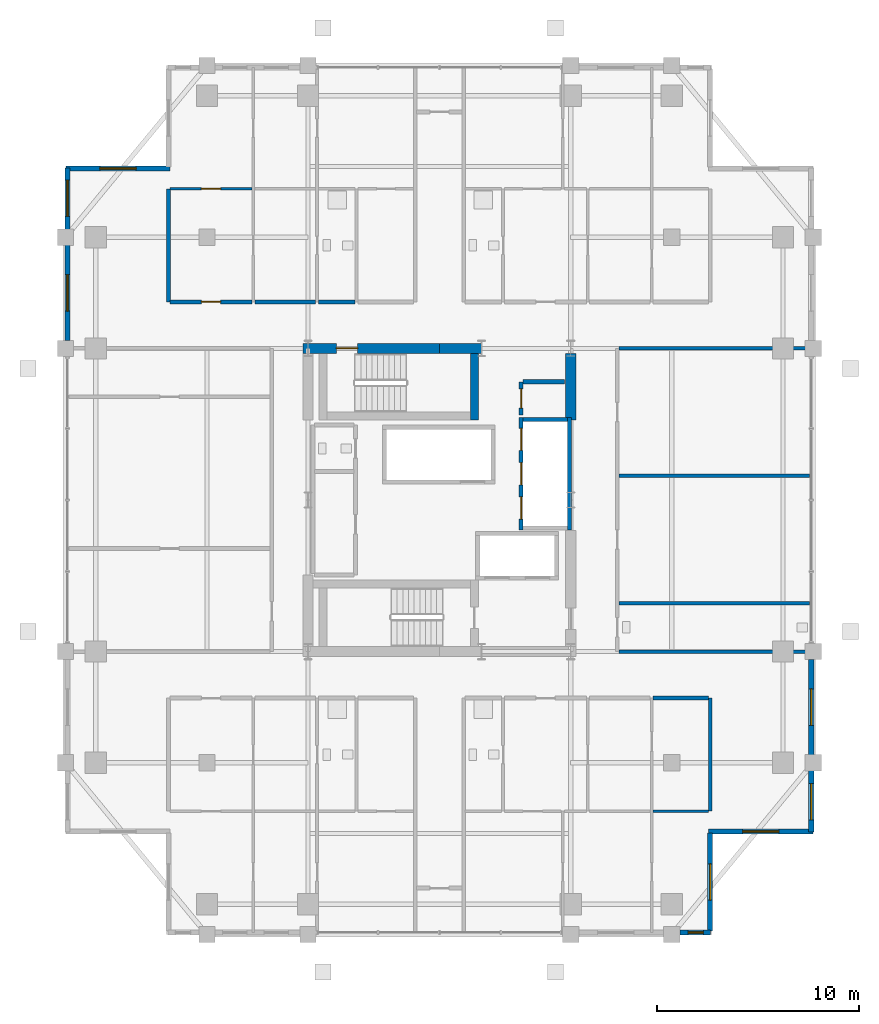
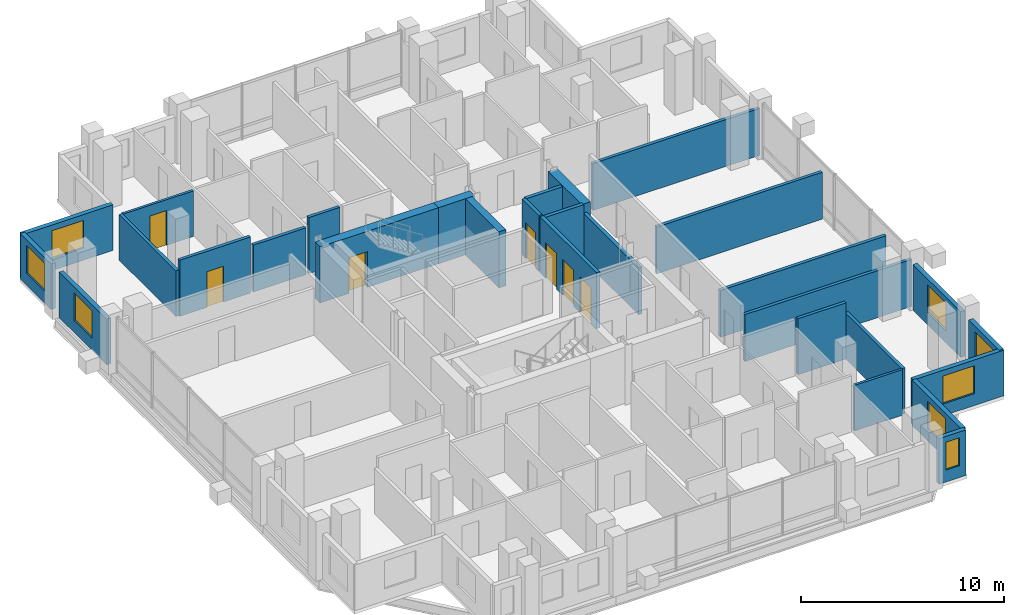
# One storey, part 20 of 24: 29 walls, 8 windows, 7 doors, 15 openings.
"""IFC4 building model written with IfcOpenShell, lengths in metres."""

from ifc_helpers import new_model, si_unit, direction, frame, frame_2d, origin, place, context, subcontext, project, spatial, rectangle, extrude, material, layer, layer_set, type_object, element, fill, save


model = new_model("IFC4")

# Units and contexts
model_context = context("Model", 3, precision=1e-05, world=origin(), true_north=direction((0.0, 1.0)))
body_context = subcontext(model_context, "Body", "Model", "MODEL_VIEW")
ifc_project = project(units=[si_unit("LENGTHUNIT", "METRE"), si_unit("AREAUNIT", "SQUARE_METRE"), si_unit("VOLUMEUNIT", "CUBIC_METRE"), si_unit("PLANEANGLEUNIT", "RADIAN"), si_unit("MASSUNIT", "GRAM", prefix="KILO")], contexts=[model_context])

# Site, building, storey
site_placement = place(None, origin())
site = spatial("IfcSite", under=ifc_project, at=site_placement, CompositionType="ELEMENT")
building_placement = place(site_placement, origin())
building = spatial("IfcBuilding", under=site, at=building_placement, Name="Barlavira Tower and Art Museum", CompositionType="ELEMENT")
storey_placement = place(building_placement, frame((0.0, 0.0, 201.60009765625)))
storey = spatial("IfcBuildingStorey", under=building, at=storey_placement, Name="L52", CompositionType="ELEMENT", Elevation=201.60009765625)

# Wall, opening, door
ifc_material_1 = material(Name="Concrete C60", Category="concrete")
ifc_layer_1 = layer(ifc_material_1, 0.5, Name="Concrete C60")
ifc_layer_set_1 = layer_set([ifc_layer_1], Name="Concrete C60")
wall_type_1 = type_object("IfcWallType", Name="Core Structural Shear Wall 500 Concrete C60", PredefinedType="SHEAR", material=ifc_layer_set_1)
wall_1_placement = place(storey_placement, frame((-6.75, 7.5, 0.0), z_axis=(0.0, 0.0, 1.0), x_axis=(1.0, 0.0, 0.0)))
wall_1 = element("IfcWall", 1, at=wall_1_placement, inside=storey, type_object=wall_type_1, Name="L52 Core Shear Wall CS-NW", PredefinedType="SHEAR", context=body_context, shape_type="SweptSolid", body=[
    extrude(rectangle(XDim=6.75, YDim=0.5, at=frame_2d((3.375, 0.0))), origin(), (0.0, 0.0, 1.0), 3.3798828125),
])
opening_1_placement = place(wall_1_placement, frame((1.64990234375, 0.0, 0.0)))
opening_1 = element("IfcOpeningElement", 2, at=opening_1_placement, cuts=wall_1, Name="Opening FD-90", PredefinedType="OPENING", context=body_context, shape_type="SweptSolid", body=[
    extrude(rectangle(XDim=1.050048828125, YDim=2.14990234375, at=frame_2d((0.52490234375, 1.074951171875))), frame((0.0, 0.260009765625, 0.0), z_axis=(0.0, -1.0, 0.0), x_axis=(1.0, 0.0, 0.0)), (0.0, 0.0, 1.0), 0.52001953125),
])
ifc_material_2 = material(Name="Brushed stainless steel", Category="steel")
door_type_1 = type_object("IfcDoorType", Name="Stair and Refuge Fire Door 1050x2150 FD90S", OperationType="NOTDEFINED", PredefinedType="DOOR", material=ifc_material_2)
door_1_placement = place(opening_1_placement, origin())
door_1 = element("IfcDoor", 3, at=door_1_placement, inside=storey, type_object=door_type_1, Name="L52 Stair ST-T2 Fire Door", OperationType="SINGLE_SWING_LEFT", OverallHeight=2.14990234375, OverallWidth=1.050048828125, PredefinedType="DOOR", context=body_context, shape_type="SweptSolid", body=[
    extrude(rectangle(XDim=1.050048828125, YDim=2.14990234375, at=frame_2d((0.52490234375, 1.074951171875))), frame((0.0, 0.02490234375, 0.0), z_axis=(0.0, -1.0, 0.0), x_axis=(1.0, 0.0, 0.0)), (0.0, 0.0, 1.0), 0.050048828125),
])
fill(opening_1, door_1)

# Walls
wall_2_placement = place(storey_placement, frame((0.0, 7.5, 0.0), z_axis=(0.0, 0.0, 1.0), x_axis=(1.0, 0.0, 0.0)))
element("IfcWall", 4, at=wall_2_placement, inside=storey, type_object=wall_type_1, Name="L52 Core Shear Wall CS-EN", PredefinedType="SHEAR", context=body_context, shape_type="SweptSolid", body=[
    extrude(rectangle(XDim=2.080078125, YDim=0.5, at=frame_2d((1.0400390625, 0.0))), origin(), (0.0, 0.0, 1.0), 3.3798828125),
])
wall_3_placement = place(storey_placement, frame((6.5, 3.949951171875, 0.0), z_axis=(0.0, 0.0, 1.0), x_axis=(0.0, 1.0, 0.0)))
element("IfcWall", 5, at=wall_3_placement, inside=storey, type_object=wall_type_1, Name="L52 Core Shear Wall CS-E2", PredefinedType="SHEAR", context=body_context, shape_type="SweptSolid", body=[
    extrude(rectangle(XDim=3.300048828125, YDim=0.5, at=frame_2d((1.64990234375, 0.0))), origin(), (0.0, 0.0, 1.0), 3.3798828125),
])

# Wall, openings, doors
ifc_material_3 = material(Name="Autoclaved aerated concrete masonry", Category="masonry")
ifc_layer_2 = layer(ifc_material_3, 0.199951171875, Name="Autoclaved aerated concrete masonry")
ifc_layer_set_2 = layer_set([ifc_layer_2], Name="Autoclaved aerated concrete masonry")
wall_type_2 = type_object("IfcWallType", Name="Fire Compartment and Shaft Wall 200", PredefinedType="SOLIDWALL", material=ifc_layer_set_2)
wall_4_placement = place(storey_placement, frame((4.050048828125, -1.489990234375, 0.0), z_axis=(0.0, 0.0, 1.0), x_axis=(0.0, 1.0, 0.0)))
wall_4 = element("IfcWall", 6, at=wall_4_placement, inside=storey, type_object=wall_type_2, Name="L52 Mid-Rise Lift Front Shaft Wall", PredefinedType="SOLIDWALL", context=body_context, shape_type="SweptSolid", body=[
    extrude(rectangle(XDim=5.580078125, YDim=0.199951171875, at=frame_2d((2.7900390625, 0.0))), origin(), (0.0, 0.0, 1.0), 3.3798828125),
])
opening_2_placement = place(wall_4_placement, frame((0.5400390625, 0.0, 0.0)))
opening_2 = element("IfcOpeningElement", 7, at=opening_2_placement, cuts=wall_4, Name="Opening LD-P", PredefinedType="OPENING", context=body_context, shape_type="SweptSolid", body=[
    extrude(rectangle(XDim=1.10009765625, YDim=2.14990234375, at=frame_2d((0.550048828125, 1.074951171875))), frame((0.0, 0.10986328125, 0.0), z_axis=(0.0, -1.0, 0.0), x_axis=(1.0, 0.0, 0.0)), (0.0, 0.0, 1.0), 0.219970703125),
])
opening_3_placement = place(wall_4_placement, frame((2.239990234375, 0.0, 0.0)))
opening_3 = element("IfcOpeningElement", 8, at=opening_3_placement, cuts=wall_4, Name="Opening LD-P", PredefinedType="OPENING", context=body_context, shape_type="SweptSolid", body=[
    extrude(rectangle(XDim=1.10009765625, YDim=2.14990234375, at=frame_2d((0.550048828125, 1.074951171875))), frame((0.0, 0.10986328125, 0.0), z_axis=(0.0, -1.0, 0.0), x_axis=(1.0, 0.0, 0.0)), (0.0, 0.0, 1.0), 0.219970703125),
])
opening_4_placement = place(wall_4_placement, frame((3.93994140625, 0.0, 0.0)))
opening_4 = element("IfcOpeningElement", 9, at=opening_4_placement, cuts=wall_4, Name="Opening LD-P", PredefinedType="OPENING", context=body_context, shape_type="SweptSolid", body=[
    extrude(rectangle(XDim=1.10009765625, YDim=2.14990234375, at=frame_2d((0.550048828125, 1.074951171875))), frame((0.0, 0.10986328125, 0.0), z_axis=(0.0, -1.0, 0.0), x_axis=(1.0, 0.0, 0.0)), (0.0, 0.0, 1.0), 0.219970703125),
])
door_type_2 = type_object("IfcDoorType", Name="Passenger Lift Sliding Landing Door 1100x2150 FD60", OperationType="NOTDEFINED", PredefinedType="DOOR", material=ifc_material_2)
door_2_placement = place(opening_2_placement, origin())
door_2 = element("IfcDoor", 10, at=door_2_placement, inside=storey, type_object=door_type_2, Name="L52 Lift PM1 Sliding Landing Door", OperationType="DOUBLE_DOOR_SLIDING", OverallHeight=2.14990234375, OverallWidth=1.10009765625, PredefinedType="DOOR", context=body_context, shape_type="SweptSolid", body=[
    extrude(rectangle(XDim=1.10009765625, YDim=2.14990234375, at=frame_2d((0.550048828125, 1.074951171875))), frame((0.0, 0.02490234375, 0.0), z_axis=(0.0, -1.0, 0.0), x_axis=(1.0, 0.0, 0.0)), (0.0, 0.0, 1.0), 0.050048828125),
])
fill(opening_2, door_2)
door_3_placement = place(opening_3_placement, origin())
door_3 = element("IfcDoor", 11, at=door_3_placement, inside=storey, type_object=door_type_2, Name="L52 Lift PM2 Sliding Landing Door", OperationType="DOUBLE_DOOR_SLIDING", OverallHeight=2.14990234375, OverallWidth=1.10009765625, PredefinedType="DOOR", context=body_context, shape_type="SweptSolid", body=[
    extrude(rectangle(XDim=1.10009765625, YDim=2.14990234375, at=frame_2d((0.550048828125, 1.074951171875))), frame((0.0, 0.02490234375, 0.0), z_axis=(0.0, -1.0, 0.0), x_axis=(1.0, 0.0, 0.0)), (0.0, 0.0, 1.0), 0.050048828125),
])
fill(opening_3, door_3)
door_4_placement = place(opening_4_placement, origin())
door_4 = element("IfcDoor", 12, at=door_4_placement, inside=storey, type_object=door_type_2, Name="L52 Lift PM3 Sliding Landing Door", OperationType="DOUBLE_DOOR_SLIDING", OverallHeight=2.14990234375, OverallWidth=1.10009765625, PredefinedType="DOOR", context=body_context, shape_type="SweptSolid", body=[
    extrude(rectangle(XDim=1.10009765625, YDim=2.14990234375, at=frame_2d((0.550048828125, 1.074951171875))), frame((0.0, 0.02490234375, 0.0), z_axis=(0.0, -1.0, 0.0), x_axis=(1.0, 0.0, 0.0)), (0.0, 0.0, 1.0), 0.050048828125),
])
fill(opening_4, door_4)

# Walls
wall_5_placement = place(storey_placement, frame((6.449951171875, -1.489990234375, 0.0), z_axis=(0.0, 0.0, 1.0), x_axis=(0.0, 1.0, 0.0)))
element("IfcWall", 13, at=wall_5_placement, inside=storey, type_object=wall_type_2, Name="L52 Mid-Rise Lift Back Shaft Wall", PredefinedType="SOLIDWALL", context=body_context, shape_type="SweptSolid", body=[
    extrude(rectangle(XDim=5.580078125, YDim=0.199951171875, at=frame_2d((2.7900390625, 0.0))), origin(), (0.0, 0.0, 1.0), 2.825927734375),
])
wall_6_placement = place(storey_placement, frame((4.14990234375, 3.989990234375, 0.0), z_axis=(0.0, 0.0, 1.0), x_axis=(1.0, 0.0, 0.0)))
element("IfcWall", 14, at=wall_6_placement, inside=storey, type_object=wall_type_2, Name="L52 Mid-Rise Lift North Shaft Wall", PredefinedType="SOLIDWALL", context=body_context, shape_type="SweptSolid", body=[
    extrude(rectangle(XDim=2.2001953125, YDim=0.199951171875, at=frame_2d((1.10009765625, 0.0))), origin(), (0.0, 0.0, 1.0), 3.3798828125),
])

# Wall, opening, door
wall_7_placement = place(storey_placement, frame((4.050048828125, 4.199951171875, 0.0), z_axis=(0.0, 0.0, 1.0), x_axis=(0.0, 1.0, 0.0)))
wall_7 = element("IfcWall", 15, at=wall_7_placement, inside=storey, type_object=wall_type_2, Name="L52 Partition Wall 18", PredefinedType="SOLIDWALL", context=body_context, shape_type="SweptSolid", body=[
    extrude(rectangle(XDim=1.650146484375, YDim=0.199951171875, at=frame_2d((0.8251953125, 0.0))), origin(), (0.0, 0.0, 1.0), 3.3798828125),
])
opening_5_placement = place(wall_7_placement, frame((0.344970703125, 0.0, 0.0)))
opening_5 = element("IfcOpeningElement", 16, at=opening_5_placement, cuts=wall_7, Name="Opening FD-60", PredefinedType="OPENING", context=body_context, shape_type="SweptSolid", body=[
    extrude(rectangle(XDim=0.949951171875, YDim=2.14990234375, at=frame_2d((0.47509765625, 1.074951171875))), frame((0.0, 0.10986328125, 0.0), z_axis=(0.0, -1.0, 0.0), x_axis=(1.0, 0.0, 0.0)), (0.0, 0.0, 1.0), 0.219970703125),
])
door_type_3 = type_object("IfcDoorType", Name="Apartment Entrance and Riser Fire Door 950x2150 FD60S", OperationType="NOTDEFINED", PredefinedType="DOOR", material=ifc_material_2)
door_5_placement = place(opening_5_placement, origin())
door_5 = element("IfcDoor", 17, at=door_5_placement, inside=storey, type_object=door_type_3, Name="Telecom and BMS Distribution Room Door", OperationType="SINGLE_SWING_RIGHT", OverallHeight=2.14990234375, OverallWidth=0.949951171875, PredefinedType="DOOR", context=body_context, shape_type="SweptSolid", body=[
    extrude(rectangle(XDim=0.949951171875, YDim=2.14990234375, at=frame_2d((0.47509765625, 1.074951171875))), frame((0.0, 0.02490234375, 0.0), z_axis=(0.0, -1.0, 0.0), x_axis=(1.0, 0.0, 0.0)), (0.0, 0.0, 1.0), 0.050048828125),
])
fill(opening_5, door_5)

# Walls
wall_8_placement = place(storey_placement, frame((4.1298828125, 5.85009765625, 0.0), z_axis=(0.0, 0.0, 1.0), x_axis=(1.0, 0.0, 0.0)))
element("IfcWall", 18, at=wall_8_placement, inside=storey, type_object=wall_type_2, Name="L52 Partition Wall 55", PredefinedType="SOLIDWALL", context=body_context, shape_type="SweptSolid", body=[
    extrude(rectangle(XDim=2.070068359375, YDim=0.199951171875, at=frame_2d((1.03515625, 0.0))), origin(), (0.0, 0.0, 1.0), 3.3798828125),
])
ifc_material_4 = material(Name="Gypsum acoustic stud partition", Category="gypsum")
ifc_layer_3 = layer(ifc_material_4, 0.179931640625, Name="Gypsum acoustic stud partition")
ifc_layer_set_3 = layer_set([ifc_layer_3], Name="Gypsum acoustic stud partition")
wall_type_3 = type_object("IfcWallType", Name="Inter-Tenancy Party Partition Wall 180", PredefinedType="PARTITIONING", material=ifc_layer_set_3)
for number, where, z_axis, x_axis, name in (
    (19, (-13.39990234375, 9.800048828125, 0.0), (0.0, 0.0, 1.0), (0.0, 1.0, 0.0), "L52 Partition Wall 2"),
    (20, (13.39990234375, -15.39990234375, 0.0), (0.0, 0.0, 1.0), (0.0, 1.0, 0.0), "L52 Partition Wall 26"),
):
    element("IfcWall", number, at=place(storey_placement, frame(where, z_axis=z_axis, x_axis=x_axis)), inside=storey, type_object=wall_type_3, Name=name, PredefinedType="PARTITIONING", context=body_context, shape_type="SweptSolid", body=[
        extrude(rectangle(XDim=5.599853515625, YDim=0.179931640625, at=frame_2d((2.7998046875, 0.0))), origin(), (0.0, 0.0, 1.0), 2.747802734375),
    ])
wall_9_placement = place(storey_placement, frame((10.580078125, -9.800048828125, 0.0), z_axis=(0.0, 0.0, 1.0), x_axis=(1.0, 0.0, 0.0)))
element("IfcWall", 21, at=wall_9_placement, inside=storey, type_object=wall_type_3, Name="L52 Partition Wall 45", PredefinedType="PARTITIONING", context=body_context, shape_type="SweptSolid", body=[
    extrude(rectangle(XDim=2.739990234375, YDim=0.179931640625, at=frame_2d((1.3701171875, 0.0))), origin(), (0.0, 0.0, 1.0), 3.3798828125),
])
wall_10_placement = place(storey_placement, frame((8.8798828125, -7.5, 0.0), z_axis=(0.0, 0.0, 1.0), x_axis=(1.0, 0.0, 0.0)))
element("IfcWall", 22, at=wall_10_placement, inside=storey, type_object=wall_type_3, Name="L52 Partition Wall 47", PredefinedType="PARTITIONING", context=body_context, shape_type="SweptSolid", body=[
    extrude(rectangle(XDim=9.52001953125, YDim=0.179931640625, at=frame_2d((4.760009765625, 0.0))), origin(), (0.0, 0.0, 1.0), 2.825927734375),
])
for number, where, z_axis, x_axis, name in (
    (23, (8.8798828125, -5.10009765625, 0.0), (0.0, 0.0, 1.0), (1.0, 0.0, 0.0), "L52 Partition Wall 48"),
    (24, (8.8798828125, 1.199951171875, 0.0), (0.0, 0.0, 1.0), (1.0, 0.0, 0.0), "L52 Partition Wall 51"),
):
    element("IfcWall", number, at=place(storey_placement, frame(where, z_axis=z_axis, x_axis=x_axis)), inside=storey, type_object=wall_type_3, Name=name, PredefinedType="PARTITIONING", context=body_context, shape_type="SweptSolid", body=[
        extrude(rectangle(XDim=9.440185546875, YDim=0.179931640625, at=frame_2d((4.72021484375, 0.0))), origin(), (0.0, 0.0, 1.0), 2.825927734375),
    ])
wall_11_placement = place(storey_placement, frame((8.8798828125, 7.5, 0.0), z_axis=(0.0, 0.0, 1.0), x_axis=(1.0, 0.0, 0.0)))
element("IfcWall", 25, at=wall_11_placement, inside=storey, type_object=wall_type_3, Name="L52 Partition Wall 57", PredefinedType="PARTITIONING", context=body_context, shape_type="SweptSolid", body=[
    extrude(rectangle(XDim=9.52001953125, YDim=0.179931640625, at=frame_2d((4.760009765625, 0.0))), origin(), (0.0, 0.0, 1.0), 2.825927734375),
])

# Wall, opening, door
wall_12_placement = place(storey_placement, frame((-13.320068359375, 9.800048828125, 0.0), z_axis=(0.0, 0.0, 1.0), x_axis=(1.0, 0.0, 0.0)))
wall_12 = element("IfcWall", 26, at=wall_12_placement, inside=storey, type_object=wall_type_3, Name="L52 Partition Wall 58", PredefinedType="PARTITIONING", context=body_context, shape_type="SweptSolid", body=[
    extrude(rectangle(XDim=4.0400390625, YDim=0.179931640625, at=frame_2d((2.02001953125, 0.0))), origin(), (0.0, 0.0, 1.0), 3.3798828125),
])
opening_6_placement = place(wall_12_placement, frame((1.544921875, 0.0, 0.0)))
opening_6 = element("IfcOpeningElement", 27, at=opening_6_placement, cuts=wall_12, Name="Opening FD-60", PredefinedType="OPENING", context=body_context, shape_type="SweptSolid", body=[
    extrude(rectangle(XDim=0.949951171875, YDim=2.14990234375, at=frame_2d((0.47509765625, 1.074951171875))), frame((0.0, 0.10009765625, 0.0), z_axis=(0.0, -1.0, 0.0), x_axis=(1.0, 0.0, 0.0)), (0.0, 0.0, 1.0), 0.199951171875),
])
door_6_placement = place(opening_6_placement, origin())
door_6 = element("IfcDoor", 28, at=door_6_placement, inside=storey, type_object=door_type_3, Name="Apartment Entrance Hall NW1 Door", OperationType="SINGLE_SWING_LEFT", OverallHeight=2.14990234375, OverallWidth=0.949951171875, PredefinedType="DOOR", context=body_context, shape_type="SweptSolid", body=[
    extrude(rectangle(XDim=0.949951171875, YDim=2.14990234375, at=frame_2d((0.47509765625, 1.074951171875))), frame((0.0, 0.02490234375, 0.0), z_axis=(0.0, -1.0, 0.0), x_axis=(1.0, 0.0, 0.0)), (0.0, 0.0, 1.0), 0.050048828125),
])
fill(opening_6, door_6)

# Walls
wall_13_placement = place(storey_placement, frame((-9.1201171875, 9.800048828125, 0.0), z_axis=(0.0, 0.0, 1.0), x_axis=(1.0, 0.0, 0.0)))
element("IfcWall", 29, at=wall_13_placement, inside=storey, type_object=wall_type_3, Name="L52 Partition Wall 59", PredefinedType="PARTITIONING", context=body_context, shape_type="SweptSolid", body=[
    extrude(rectangle(XDim=2.990234375, YDim=0.179931640625, at=frame_2d((1.4951171875, 0.0))), origin(), (0.0, 0.0, 1.0), 2.825927734375),
])
wall_14_placement = place(storey_placement, frame((-5.969970703125, 9.800048828125, 0.0), z_axis=(0.0, 0.0, 1.0), x_axis=(1.0, 0.0, 0.0)))
element("IfcWall", 30, at=wall_14_placement, inside=storey, type_object=wall_type_3, Name="L52 Partition Wall 60", PredefinedType="PARTITIONING", context=body_context, shape_type="SweptSolid", body=[
    extrude(rectangle(XDim=1.7900390625, YDim=0.179931640625, at=frame_2d((0.89501953125, 0.0))), origin(), (0.0, 0.0, 1.0), 3.3798828125),
])
ifc_layer_4 = layer(ifc_material_4, 0.139892578125, Name="Gypsum acoustic stud partition")
ifc_layer_set_4 = layer_set([ifc_layer_4], Name="Gypsum acoustic stud partition")
wall_type_4 = type_object("IfcWallType", Name="Moisture-Resistant Bathroom Partition 140", PredefinedType="PARTITIONING", material=ifc_layer_set_4)
wall_15_placement = place(storey_placement, frame((10.580078125, -15.39990234375, 0.0), z_axis=(0.0, 0.0, 1.0), x_axis=(1.0, 0.0, 0.0)))
element("IfcWall", 31, at=wall_15_placement, inside=storey, type_object=wall_type_4, Name="L52 Partition Wall 37", PredefinedType="PARTITIONING", context=body_context, shape_type="SweptSolid", body=[
    extrude(rectangle(XDim=2.739990234375, YDim=0.139892578125, at=frame_2d((1.3701171875, 0.0))), origin(), (0.0, 0.0, 1.0), 2.747802734375),
])

# Wall, opening, door
wall_16_placement = place(storey_placement, frame((-13.320068359375, 15.39990234375, 0.0), z_axis=(0.0, 0.0, 1.0), x_axis=(1.0, 0.0, 0.0)))
wall_16 = element("IfcWall", 32, at=wall_16_placement, inside=storey, type_object=wall_type_4, Name="L52 Partition Wall 66", PredefinedType="PARTITIONING", context=body_context, shape_type="SweptSolid", body=[
    extrude(rectangle(XDim=4.0400390625, YDim=0.139892578125, at=frame_2d((2.02001953125, 0.0))), origin(), (0.0, 0.0, 1.0), 2.747802734375),
])
opening_7_placement = place(wall_16_placement, frame((1.544921875, 0.0, 0.0)))
opening_7 = element("IfcOpeningElement", 33, at=opening_7_placement, cuts=wall_16, Name="Opening D-02", PredefinedType="OPENING", context=body_context, shape_type="SweptSolid", body=[
    extrude(rectangle(XDim=0.949951171875, YDim=2.10009765625, at=frame_2d((0.47509765625, 1.050048828125))), frame((0.0, 0.080078125, 0.0), z_axis=(0.0, -1.0, 0.0), x_axis=(1.0, 0.0, 0.0)), (0.0, 0.0, 1.0), 0.159912109375),
])
ifc_material_5 = material(Name="Engineered coastal hardwood", Category="wood")
door_type_4 = type_object("IfcDoorType", Name="Living and Salon Glazed-Leaf Door 950x2100", OperationType="NOTDEFINED", PredefinedType="DOOR", material=ifc_material_5)
door_7_placement = place(opening_7_placement, origin())
door_7 = element("IfcDoor", 34, at=door_7_placement, inside=storey, type_object=door_type_4, Name="Apartment NW1 Living Lounge Door", OperationType="SINGLE_SWING_LEFT", OverallHeight=2.10009765625, OverallWidth=0.949951171875, PredefinedType="DOOR", context=body_context, shape_type="SweptSolid", body=[
    extrude(rectangle(XDim=0.949951171875, YDim=2.10009765625, at=frame_2d((0.47509765625, 1.050048828125))), frame((0.0, 0.02490234375, 0.0), z_axis=(0.0, -1.0, 0.0), x_axis=(1.0, 0.0, 0.0)), (0.0, 0.0, 1.0), 0.050048828125),
])
fill(opening_7, door_7)

# Wall, opening, window
ifc_material_6 = material(Name="Precast concrete C40", Category="concrete")
ifc_layer_5 = layer(ifc_material_6, 0.25, Name="Precast concrete C40")
ifc_layer_set_5 = layer_set([ifc_layer_5], Name="Precast concrete C40")
wall_type_5 = type_object("IfcWallType", Name="Notched Corner Spandrel Wall 250 Precast Concrete C40", PredefinedType="SOLIDWALL", material=ifc_layer_set_5)
wall_17_placement = place(storey_placement, frame((11.89501953125, -21.39990234375, 0.0), z_axis=(0.0, 0.0, 1.0), x_axis=(1.0, 0.0, 0.0)))
wall_17 = element("IfcWall", 35, at=wall_17_placement, inside=storey, type_object=wall_type_5, Name="L52 Coastal Facade Pier Wall CW3-L52-S-5", PredefinedType="SOLIDWALL", context=body_context, shape_type="SweptSolid", body=[
    extrude(rectangle(XDim=1.530029296875, YDim=0.25, at=frame_2d((0.76513671875, 0.0))), origin(), (0.0, 0.0, 1.0), 2.747802734375),
])
opening_8_placement = place(wall_17_placement, frame((0.407958984375, 0.0, 0.719970703125)))
opening_8 = element("IfcOpeningElement", 36, at=opening_8_placement, cuts=wall_17, Name="Opening WN-06", PredefinedType="OPENING", context=body_context, shape_type="SweptSolid", body=[
    extrude(rectangle(XDim=0.760009765625, YDim=1.679931640625, at=frame_2d((0.3798828125, 0.83984375))), frame((0.0, 0.135009765625, 0.0), z_axis=(0.0, -1.0, 0.0), x_axis=(1.0, 0.0, 0.0)), (0.0, 0.0, 1.0), 0.27001953125),
])
ifc_material_7 = material(Name="Low-iron coastal laminated glass", Category="glass")
window_type_1 = type_object("IfcWindowType", Name="Recessed Narrow Pier Window 760x1680", PartitioningType="SINGLE_PANEL", PredefinedType="WINDOW", material=ifc_material_7)
window_1_placement = place(opening_8_placement, origin())
window_1 = element("IfcWindow", 37, at=window_1_placement, inside=storey, type_object=window_type_1, Name="L52 Punched Facade Window EWP-CW3-L52-S-5-1", OverallHeight=1.679931640625, OverallWidth=0.760009765625, PartitioningType="SINGLE_PANEL", PredefinedType="WINDOW", context=body_context, shape_type="SweptSolid", body=[
    extrude(rectangle(XDim=0.760009765625, YDim=1.679931640625, at=frame_2d((0.3798828125, 0.83984375))), frame((0.0, 0.030029296875, 0.0), z_axis=(0.0, -1.0, 0.0), x_axis=(1.0, 0.0, 0.0)), (0.0, 0.0, 1.0), 0.06005859375),
])
fill(opening_8, window_1)

wall_18_placement = place(storey_placement, frame((-18.39990234375, 16.425048828125, 0.0), z_axis=(0.0, 0.0, 1.0), x_axis=(0.0, -1.0, 0.0)))
wall_18 = element("IfcWall", 38, at=wall_18_placement, inside=storey, type_object=wall_type_5, Name="L52 Coastal Facade Pier Wall CW3-L52-W-1", PredefinedType="SOLIDWALL", context=body_context, shape_type="SweptSolid", body=[
    extrude(rectangle(XDim=3.030029296875, YDim=0.25, at=frame_2d((1.51513671875, 0.0))), origin(), (0.0, 0.0, 1.0), 2.747802734375),
])
opening_9_placement = place(wall_18_placement, frame((0.593017578125, 0.0, 0.719970703125)))
opening_9 = element("IfcOpeningElement", 39, at=opening_9_placement, cuts=wall_18, Name="Opening WN-01", PredefinedType="OPENING", context=body_context, shape_type="SweptSolid", body=[
    extrude(rectangle(XDim=1.800048828125, YDim=1.679931640625, at=frame_2d((0.89990234375, 0.83984375))), frame((0.0, 0.135009765625, 0.0), z_axis=(0.0, -1.0, 0.0), x_axis=(1.0, 0.0, 0.0)), (0.0, 0.0, 1.0), 0.27001953125),
])
window_type_2 = type_object("IfcWindowType", Name="Recessed Notch Corner Punch Window 1800x1680", PartitioningType="SINGLE_PANEL", PredefinedType="WINDOW", material=ifc_material_7)
window_2_placement = place(opening_9_placement, origin())
window_2 = element("IfcWindow", 40, at=window_2_placement, inside=storey, type_object=window_type_2, Name="L52 Punched Facade Window EWP-CW3-L52-W-1-1", OverallHeight=1.679931640625, OverallWidth=1.800048828125, PartitioningType="SINGLE_PANEL", PredefinedType="WINDOW", context=body_context, shape_type="SweptSolid", body=[
    extrude(rectangle(XDim=1.800048828125, YDim=1.679931640625, at=frame_2d((0.89990234375, 0.83984375))), frame((0.0, 0.030029296875, 0.0), z_axis=(0.0, -1.0, 0.0), x_axis=(1.0, 0.0, 0.0)), (0.0, 0.0, 1.0), 0.06005859375),
])
fill(opening_9, window_2)

wall_19_placement = place(storey_placement, frame((-18.39990234375, 12.60498046875, 0.0), z_axis=(0.0, 0.0, 1.0), x_axis=(0.0, -1.0, 0.0)))
wall_19 = element("IfcWall", 41, at=wall_19_placement, inside=storey, type_object=wall_type_5, Name="L52 Coastal Facade Pier Wall CW3-L52-W-2", PredefinedType="SOLIDWALL", context=body_context, shape_type="SweptSolid", body=[
    extrude(rectangle(XDim=4.7099609375, YDim=0.25, at=frame_2d((2.35498046875, 0.0))), origin(), (0.0, 0.0, 1.0), 2.747802734375),
])
opening_10_placement = place(wall_19_placement, frame((1.455078125, 0.0, 0.719970703125)))
opening_10 = element("IfcOpeningElement", 42, at=opening_10_placement, cuts=wall_19, Name="Opening WN-01", PredefinedType="OPENING", context=body_context, shape_type="SweptSolid", body=[
    extrude(rectangle(XDim=1.800048828125, YDim=1.679931640625, at=frame_2d((0.89990234375, 0.83984375))), frame((0.0, 0.135009765625, 0.0), z_axis=(0.0, -1.0, 0.0), x_axis=(1.0, 0.0, 0.0)), (0.0, 0.0, 1.0), 0.27001953125),
])
window_3_placement = place(opening_10_placement, origin())
window_3 = element("IfcWindow", 43, at=window_3_placement, inside=storey, type_object=window_type_2, Name="L52 Punched Facade Window EWP-CW3-L52-W-2-1", OverallHeight=1.679931640625, OverallWidth=1.800048828125, PartitioningType="SINGLE_PANEL", PredefinedType="WINDOW", context=body_context, shape_type="SweptSolid", body=[
    extrude(rectangle(XDim=1.800048828125, YDim=1.679931640625, at=frame_2d((0.89990234375, 0.83984375))), frame((0.0, 0.030029296875, 0.0), z_axis=(0.0, -1.0, 0.0), x_axis=(1.0, 0.0, 0.0)), (0.0, 0.0, 1.0), 0.06005859375),
])
fill(opening_10, window_3)

wall_20_placement = place(storey_placement, frame((18.39990234375, -16.425048828125, 0.0), z_axis=(0.0, 0.0, 1.0), x_axis=(0.0, 1.0, 0.0)))
wall_20 = element("IfcWall", 44, at=wall_20_placement, inside=storey, type_object=wall_type_5, Name="L52 Coastal Facade Pier Wall CW3-L52-E-1", PredefinedType="SOLIDWALL", context=body_context, shape_type="SweptSolid", body=[
    extrude(rectangle(XDim=3.030029296875, YDim=0.25, at=frame_2d((1.51513671875, 0.0))), origin(), (0.0, 0.0, 1.0), 2.747802734375),
])
opening_11_placement = place(wall_20_placement, frame((0.593017578125, 0.0, 0.719970703125)))
opening_11 = element("IfcOpeningElement", 45, at=opening_11_placement, cuts=wall_20, Name="Opening WN-01", PredefinedType="OPENING", context=body_context, shape_type="SweptSolid", body=[
    extrude(rectangle(XDim=1.800048828125, YDim=1.679931640625, at=frame_2d((0.89990234375, 0.83984375))), frame((0.0, 0.135009765625, 0.0), z_axis=(0.0, -1.0, 0.0), x_axis=(1.0, 0.0, 0.0)), (0.0, 0.0, 1.0), 0.27001953125),
])
window_4_placement = place(opening_11_placement, origin())
window_4 = element("IfcWindow", 46, at=window_4_placement, inside=storey, type_object=window_type_2, Name="L52 Punched Facade Window EWP-CW3-L52-E-1-1", OverallHeight=1.679931640625, OverallWidth=1.800048828125, PartitioningType="SINGLE_PANEL", PredefinedType="WINDOW", context=body_context, shape_type="SweptSolid", body=[
    extrude(rectangle(XDim=1.800048828125, YDim=1.679931640625, at=frame_2d((0.89990234375, 0.83984375))), frame((0.0, 0.030029296875, 0.0), z_axis=(0.0, -1.0, 0.0), x_axis=(1.0, 0.0, 0.0)), (0.0, 0.0, 1.0), 0.06005859375),
])
fill(opening_11, window_4)

wall_21_placement = place(storey_placement, frame((18.39990234375, -12.60498046875, 0.0), z_axis=(0.0, 0.0, 1.0), x_axis=(0.0, 1.0, 0.0)))
wall_21 = element("IfcWall", 47, at=wall_21_placement, inside=storey, type_object=wall_type_5, Name="L52 Coastal Facade Pier Wall CW3-L52-E-2", PredefinedType="SOLIDWALL", context=body_context, shape_type="SweptSolid", body=[
    extrude(rectangle(XDim=4.7099609375, YDim=0.25, at=frame_2d((2.35498046875, 0.0))), origin(), (0.0, 0.0, 1.0), 2.747802734375),
])
opening_12_placement = place(wall_21_placement, frame((1.455078125, 0.0, 0.719970703125)))
opening_12 = element("IfcOpeningElement", 48, at=opening_12_placement, cuts=wall_21, Name="Opening WN-01", PredefinedType="OPENING", context=body_context, shape_type="SweptSolid", body=[
    extrude(rectangle(XDim=1.800048828125, YDim=1.679931640625, at=frame_2d((0.89990234375, 0.83984375))), frame((0.0, 0.135009765625, 0.0), z_axis=(0.0, -1.0, 0.0), x_axis=(1.0, 0.0, 0.0)), (0.0, 0.0, 1.0), 0.27001953125),
])
window_5_placement = place(opening_12_placement, origin())
window_5 = element("IfcWindow", 49, at=window_5_placement, inside=storey, type_object=window_type_2, Name="L52 Punched Facade Window EWP-CW3-L52-E-2-1", OverallHeight=1.679931640625, OverallWidth=1.800048828125, PartitioningType="SINGLE_PANEL", PredefinedType="WINDOW", context=body_context, shape_type="SweptSolid", body=[
    extrude(rectangle(XDim=1.800048828125, YDim=1.679931640625, at=frame_2d((0.89990234375, 0.83984375))), frame((0.0, 0.030029296875, 0.0), z_axis=(0.0, -1.0, 0.0), x_axis=(1.0, 0.0, 0.0)), (0.0, 0.0, 1.0), 0.06005859375),
])
fill(opening_12, window_5)

wall_22_placement = place(storey_placement, frame((13.39990234375, -21.320068359375, 0.0), z_axis=(0.0, 0.0, 1.0), x_axis=(0.0, 1.0, 0.0)))
wall_22 = element("IfcWall", 50, at=wall_22_placement, inside=storey, type_object=wall_type_5, Name="L52 Notch Corner Wall SE1", PredefinedType="SOLIDWALL", context=body_context, shape_type="SweptSolid", body=[
    extrude(rectangle(XDim=4.840087890625, YDim=0.25, at=frame_2d((2.419921875, 0.0))), origin(), (0.0, 0.0, 1.0), 2.747802734375),
])
opening_13_placement = place(wall_22_placement, frame((1.52001953125, 0.0, 0.719970703125)))
opening_13 = element("IfcOpeningElement", 51, at=opening_13_placement, cuts=wall_22, Name="Opening WN-01", PredefinedType="OPENING", context=body_context, shape_type="SweptSolid", body=[
    extrude(rectangle(XDim=1.800048828125, YDim=1.679931640625, at=frame_2d((0.89990234375, 0.83984375))), frame((0.0, 0.135009765625, 0.0), z_axis=(0.0, -1.0, 0.0), x_axis=(1.0, 0.0, 0.0)), (0.0, 0.0, 1.0), 0.27001953125),
])
window_6_placement = place(opening_13_placement, origin())
window_6 = element("IfcWindow", 52, at=window_6_placement, inside=storey, type_object=window_type_2, Name="L52 Punched Facade Window EW-NTC-L52-SE1-1", OverallHeight=1.679931640625, OverallWidth=1.800048828125, PartitioningType="SINGLE_PANEL", PredefinedType="WINDOW", context=body_context, shape_type="SweptSolid", body=[
    extrude(rectangle(XDim=1.800048828125, YDim=1.679931640625, at=frame_2d((0.89990234375, 0.83984375))), frame((0.0, 0.030029296875, 0.0), z_axis=(0.0, -1.0, 0.0), x_axis=(1.0, 0.0, 0.0)), (0.0, 0.0, 1.0), 0.06005859375),
])
fill(opening_13, window_6)

wall_23_placement = place(storey_placement, frame((13.320068359375, -16.39990234375, 0.0), z_axis=(0.0, 0.0, 1.0), x_axis=(1.0, 0.0, 0.0)))
wall_23 = element("IfcWall", 53, at=wall_23_placement, inside=storey, type_object=wall_type_5, Name="L52 Notch Corner Wall SE2", PredefinedType="SOLIDWALL", context=body_context, shape_type="SweptSolid", body=[
    extrude(rectangle(XDim=5.159912109375, YDim=0.25, at=frame_2d((2.580078125, 0.0))), origin(), (0.0, 0.0, 1.0), 2.747802734375),
])
opening_14_placement = place(wall_23_placement, frame((1.679931640625, 0.0, 0.719970703125)))
opening_14 = element("IfcOpeningElement", 54, at=opening_14_placement, cuts=wall_23, Name="Opening WN-01", PredefinedType="OPENING", context=body_context, shape_type="SweptSolid", body=[
    extrude(rectangle(XDim=1.800048828125, YDim=1.679931640625, at=frame_2d((0.89990234375, 0.83984375))), frame((0.0, 0.135009765625, 0.0), z_axis=(0.0, -1.0, 0.0), x_axis=(1.0, 0.0, 0.0)), (0.0, 0.0, 1.0), 0.27001953125),
])
window_7_placement = place(opening_14_placement, origin())
window_7 = element("IfcWindow", 55, at=window_7_placement, inside=storey, type_object=window_type_2, Name="L52 Punched Facade Window EW-NTC-L52-SE2-1", OverallHeight=1.679931640625, OverallWidth=1.800048828125, PartitioningType="SINGLE_PANEL", PredefinedType="WINDOW", context=body_context, shape_type="SweptSolid", body=[
    extrude(rectangle(XDim=1.800048828125, YDim=1.679931640625, at=frame_2d((0.89990234375, 0.83984375))), frame((0.0, 0.030029296875, 0.0), z_axis=(0.0, -1.0, 0.0), x_axis=(1.0, 0.0, 0.0)), (0.0, 0.0, 1.0), 0.06005859375),
])
fill(opening_14, window_7)

wall_24_placement = place(storey_placement, frame((-13.320068359375, 16.39990234375, 0.0), z_axis=(0.0, 0.0, 1.0), x_axis=(-1.0, 0.0, 0.0)))
wall_24 = element("IfcWall", 56, at=wall_24_placement, inside=storey, type_object=wall_type_5, Name="L52 Notch Corner Wall NW2", PredefinedType="SOLIDWALL", context=body_context, shape_type="SweptSolid", body=[
    extrude(rectangle(XDim=5.159912109375, YDim=0.25, at=frame_2d((2.580078125, 0.0))), origin(), (0.0, 0.0, 1.0), 2.747802734375),
])
opening_15_placement = place(wall_24_placement, frame((1.679931640625, 0.0, 0.719970703125)))
opening_15 = element("IfcOpeningElement", 57, at=opening_15_placement, cuts=wall_24, Name="Opening WN-01", PredefinedType="OPENING", context=body_context, shape_type="SweptSolid", body=[
    extrude(rectangle(XDim=1.800048828125, YDim=1.679931640625, at=frame_2d((0.89990234375, 0.83984375))), frame((0.0, 0.135009765625, 0.0), z_axis=(0.0, -1.0, 0.0), x_axis=(1.0, 0.0, 0.0)), (0.0, 0.0, 1.0), 0.27001953125),
])
window_8_placement = place(opening_15_placement, origin())
window_8 = element("IfcWindow", 58, at=window_8_placement, inside=storey, type_object=window_type_2, Name="L52 Punched Facade Window EW-NTC-L52-NW2-1", OverallHeight=1.679931640625, OverallWidth=1.800048828125, PartitioningType="SINGLE_PANEL", PredefinedType="WINDOW", context=body_context, shape_type="SweptSolid", body=[
    extrude(rectangle(XDim=1.800048828125, YDim=1.679931640625, at=frame_2d((0.89990234375, 0.83984375))), frame((0.0, 0.030029296875, 0.0), z_axis=(0.0, -1.0, 0.0), x_axis=(1.0, 0.0, 0.0)), (0.0, 0.0, 1.0), 0.06005859375),
])
fill(opening_15, window_8)

# Wall
ifc_material_8 = material(Name="Concrete C55", Category="concrete")
ifc_layer_6 = layer(ifc_material_8, 0.39990234375, Name="Concrete C55")
ifc_layer_set_6 = layer_set([ifc_layer_6], Name="Concrete C55")
wall_type_6 = type_object("IfcWallType", Name="Upper Core Shear Wall 400 Concrete C55", PredefinedType="SHEAR", material=ifc_layer_set_6)
wall_25_placement = place(storey_placement, frame((1.72998046875, 3.949951171875, 0.0), z_axis=(0.0, 0.0, 1.0), x_axis=(0.0, 1.0, 0.0)))
element("IfcWall", 59, at=wall_25_placement, inside=storey, type_object=wall_type_6, Name="L52 ST-T2 East Half-Landing Wall", PredefinedType="SHEAR", context=body_context, shape_type="SweptSolid", body=[
    extrude(rectangle(XDim=3.300048828125, YDim=0.39990234375, at=frame_2d((1.64990234375, 0.0))), origin(), (0.0, 0.0, 1.0), 3.3798828125),
])

save(model, "model.ifc")
